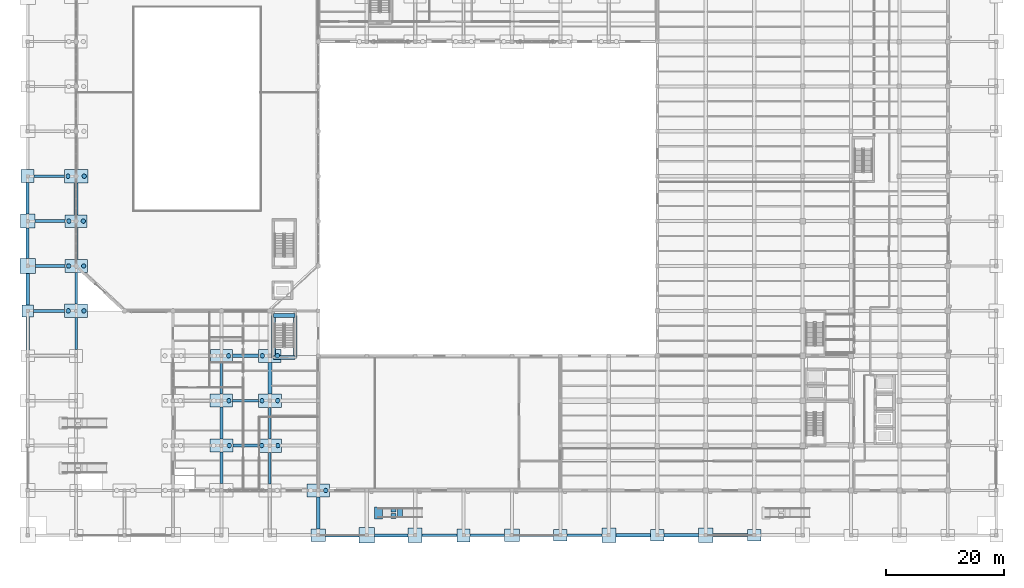
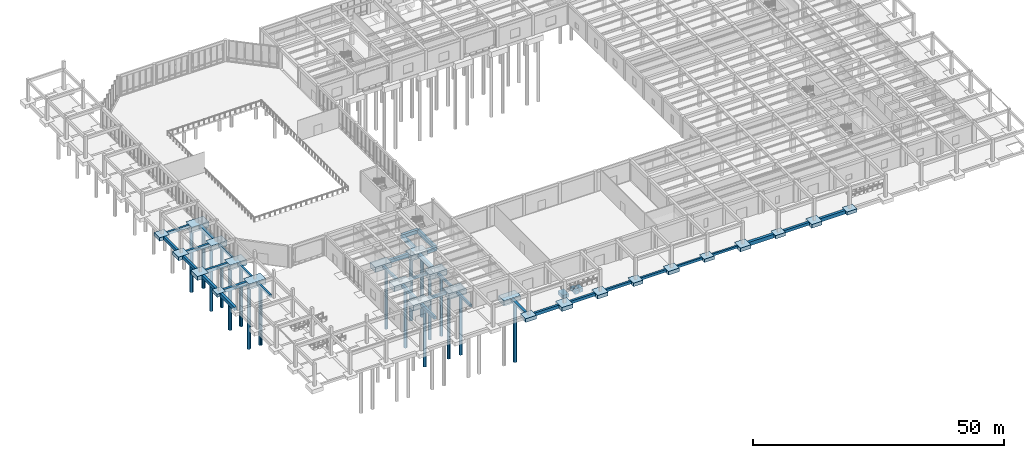
# One storey, part 2 of 64: 64 footings, 18 piles.
"""IFC4 building model written with IfcOpenShell, lengths in metres."""

from ifc_helpers import new_model, si_unit, direction, frame, origin, origin_2d, place, context, subcontext, project, spatial, rectangle, circle, extrude, material, material_profile, profile_set, type_object, element, save


model = new_model("IFC4")

# Units and contexts
model_context = context("Model", 3, precision=1e-05, world=origin(), true_north=direction((0.0, 1.0)))
body_context = subcontext(model_context, "Body", "Model", "MODEL_VIEW")
ifc_project = project(units=[si_unit("LENGTHUNIT", "METRE"), si_unit("AREAUNIT", "SQUARE_METRE"), si_unit("VOLUMEUNIT", "CUBIC_METRE"), si_unit("PLANEANGLEUNIT", "RADIAN"), si_unit("MASSUNIT", "GRAM", prefix="KILO")], contexts=[model_context])

# Site, building, storey
site_placement = place(None, origin())
site = spatial("IfcSite", under=ifc_project, at=site_placement, CompositionType="ELEMENT")
building_placement = place(site_placement, origin())
building = spatial("IfcBuilding", under=site, at=building_placement, Name="Qandaris Square Conservatory and Botanical Centre", CompositionType="ELEMENT")
storey_placement = place(building_placement, origin())
storey = spatial("IfcBuildingStorey", under=building, at=storey_placement, Name="L00", CompositionType="ELEMENT", Elevation=0.0)

# Piles
ifc_material_1 = material(Name="Concrete C50/60", Category="concrete")
ifc_material_profile_1 = material_profile(ifc_material_1, circle(Radius=0.375, at=origin_2d()), Name="PILE D750")
ifc_profile_set_1 = profile_set([ifc_material_profile_1], Name="Concrete C50/60")
pile_type = type_object("IfcPileType", Name="Bored Pile D750", PredefinedType="BORED", material=ifc_profile_set_1)
for number, where, z_axis, x_axis, name in (
    (1, (14.875, 47.0, -1.25), (0.0, 0.0, -1.0), (1.0, 0.0, 0.0), "Bored Pile F2-1"),
    (2, (17.52490234375, 47.0, -1.25), (0.0, 0.0, -1.0), (1.0, 0.0, 0.0), "Bored Pile F2-2"),
):
    element("IfcPile", number, at=place(storey_placement, frame(where, z_axis=z_axis, x_axis=x_axis)), inside=storey, type_object=pile_type, Name=name, PredefinedType="BORED", context=body_context, shape_type="SweptSolid", body=[
        extrude(circle(Radius=0.375, at=origin_2d()), origin(), (0.0, 0.0, 1.0), 15.25),
    ])
for number, where, z_axis, x_axis, name in (
    (3, (14.925048828125, 54.60009765625, -1.199951171875), (0.0, 0.0, -1.0), (1.0, 0.0, 0.0), "Bored Pile G2-1"),
    (4, (17.47509765625, 54.60009765625, -1.199951171875), (0.0, 0.0, -1.0), (1.0, 0.0, 0.0), "Bored Pile G2-2"),
):
    element("IfcPile", number, at=place(storey_placement, frame(where, z_axis=z_axis, x_axis=x_axis)), inside=storey, type_object=pile_type, Name=name, PredefinedType="BORED", context=body_context, shape_type="SweptSolid", body=[
        extrude(circle(Radius=0.375, at=origin_2d()), origin(), (0.0, 0.0, 1.0), 15.300048828125),
    ])
for number, where, z_axis, x_axis, name in (
    (5, (14.97509765625, 62.199951171875, -1.14990234375), (0.0, 0.0, -1.0), (1.0, 0.0, 0.0), "Bored Pile H2-1"),
    (6, (17.425048828125, 62.199951171875, -1.14990234375), (0.0, 0.0, -1.0), (1.0, 0.0, 0.0), "Bored Pile H2-2"),
):
    element("IfcPile", number, at=place(storey_placement, frame(where, z_axis=z_axis, x_axis=x_axis)), inside=storey, type_object=pile_type, Name=name, PredefinedType="BORED", context=body_context, shape_type="SweptSolid", body=[
        extrude(circle(Radius=0.375, at=origin_2d()), origin(), (0.0, 0.0, 1.0), 15.35009765625),
    ])
for number, where, z_axis, x_axis, name in (
    (7, (14.824951171875, 69.800048828125, -1.300048828125), (0.0, 0.0, -1.0), (1.0, 0.0, 0.0), "Bored Pile J2-1"),
    (8, (17.574951171875, 69.800048828125, -1.300048828125), (0.0, 0.0, -1.0), (1.0, 0.0, 0.0), "Bored Pile J2-2"),
):
    element("IfcPile", number, at=place(storey_placement, frame(where, z_axis=z_axis, x_axis=x_axis)), inside=storey, type_object=pile_type, Name=name, PredefinedType="BORED", context=body_context, shape_type="SweptSolid", body=[
        extrude(circle(Radius=0.375, at=origin_2d()), origin(), (0.0, 0.0, 1.0), 15.199951171875),
    ])
pile_1_placement = place(storey_placement, frame((42.125, 24.199951171875, -1.25), z_axis=(0.0, 0.0, -1.0), x_axis=(1.0, 0.0, 0.0)))
element("IfcPile", 9, at=pile_1_placement, inside=storey, type_object=pile_type, Name="Bored Pile C5-2", PredefinedType="BORED", context=body_context, shape_type="SweptSolid", body=[
    extrude(circle(Radius=0.375, at=origin_2d()), origin(), (0.0, 0.0, 1.0), 15.25),
])
pile_2_placement = place(storey_placement, frame((42.074951171875, 31.800048828125, -1.199951171875), z_axis=(0.0, 0.0, -1.0), x_axis=(1.0, 0.0, 0.0)))
element("IfcPile", 10, at=pile_2_placement, inside=storey, type_object=pile_type, Name="Bored Pile D5-2", PredefinedType="BORED", context=body_context, shape_type="SweptSolid", body=[
    extrude(circle(Radius=0.375, at=origin_2d()), origin(), (0.0, 0.0, 1.0), 15.300048828125),
])
pile_3_placement = place(storey_placement, frame((42.02490234375, 39.39990234375, -1.14990234375), z_axis=(0.0, 0.0, -1.0), x_axis=(1.0, 0.0, 0.0)))
element("IfcPile", 11, at=pile_3_placement, inside=storey, type_object=pile_type, Name="Bored Pile E5-2", PredefinedType="BORED", context=body_context, shape_type="SweptSolid", body=[
    extrude(circle(Radius=0.375, at=origin_2d()), origin(), (0.0, 0.0, 1.0), 15.35009765625),
])
for number, where, z_axis, x_axis, name in (
    (12, (47.625, 24.199951171875, -1.300048828125), (0.0, 0.0, -1.0), (1.0, 0.0, 0.0), "Bored Pile C6-1"),
    (13, (50.375, 24.199951171875, -1.300048828125), (0.0, 0.0, -1.0), (1.0, 0.0, 0.0), "Bored Pile C6-2"),
):
    element("IfcPile", number, at=place(storey_placement, frame(where, z_axis=z_axis, x_axis=x_axis)), inside=storey, type_object=pile_type, Name=name, PredefinedType="BORED", context=body_context, shape_type="SweptSolid", body=[
        extrude(circle(Radius=0.375, at=origin_2d()), origin(), (0.0, 0.0, 1.0), 15.199951171875),
    ])
for number, where, z_axis, x_axis, name in (
    (14, (47.675048828125, 31.800048828125, -1.25), (0.0, 0.0, -1.0), (1.0, 0.0, 0.0), "Bored Pile D6-1"),
    (15, (50.324951171875, 31.800048828125, -1.25), (0.0, 0.0, -1.0), (1.0, 0.0, 0.0), "Bored Pile D6-2"),
):
    element("IfcPile", number, at=place(storey_placement, frame(where, z_axis=z_axis, x_axis=x_axis)), inside=storey, type_object=pile_type, Name=name, PredefinedType="BORED", context=body_context, shape_type="SweptSolid", body=[
        extrude(circle(Radius=0.375, at=origin_2d()), origin(), (0.0, 0.0, 1.0), 15.25),
    ])
for number, where, z_axis, x_axis, name in (
    (16, (47.72509765625, 39.39990234375, -1.199951171875), (0.0, 0.0, -1.0), (1.0, 0.0, 0.0), "Bored Pile E6-1"),
    (17, (50.27490234375, 39.39990234375, -1.199951171875), (0.0, 0.0, -1.0), (1.0, 0.0, 0.0), "Bored Pile E6-2"),
    (18, (58.47509765625, 16.60009765625, -1.199951171875), (0.0, 0.0, -1.0), (1.0, 0.0, 0.0), "Bored Pile B7-2"),
):
    element("IfcPile", number, at=place(storey_placement, frame(where, z_axis=z_axis, x_axis=x_axis)), inside=storey, type_object=pile_type, Name=name, PredefinedType="BORED", context=body_context, shape_type="SweptSolid", body=[
        extrude(circle(Radius=0.375, at=origin_2d()), origin(), (0.0, 0.0, 1.0), 15.300048828125),
    ])

# Footings
ifc_material_2 = material(Name="Concrete C40/50", Category="concrete")
ifc_material_profile_2 = material_profile(ifc_material_2, rectangle(XDim=0.60009765625, YDim=0.85009765625, at=origin_2d()), Name="FB 600x850")
ifc_profile_set_2 = profile_set([ifc_material_profile_2], Name="Concrete C40/50")
footing_type_1 = type_object("IfcFootingType", Name="RC Ground Tie Beam FB-01", PredefinedType="FOOTING_BEAM", material=ifc_profile_set_2)
footing_1_placement = place(storey_placement, frame((124.0, 9.0, -0.425048828125), z_axis=(1.0, 0.0, 0.0), x_axis=(0.0, 1.0, 0.0)))
element("IfcFooting", 19, at=footing_1_placement, inside=storey, type_object=footing_type_1, Name="Ground Tie Beam FB-01-201", PredefinedType="FOOTING_BEAM", context=body_context, shape_type="SweptSolid", body=[
    extrude(rectangle(XDim=0.60009765625, YDim=0.85009765625, at=origin_2d()), origin(), (0.0, 0.0, 1.0), 5.85009765625),
])
footing_2_placement = place(storey_placement, frame((42.64990234375, 39.39990234375, -0.425048828125), z_axis=(1.0, 0.0, 0.0), x_axis=(0.0, 1.0, 0.0)))
element("IfcFooting", 20, at=footing_2_placement, inside=storey, type_object=footing_type_1, Name="Ground Tie Beam FB-01-221", PredefinedType="FOOTING_BEAM", context=body_context, shape_type="SweptSolid", body=[
    extrude(rectangle(XDim=0.60009765625, YDim=0.85009765625, at=origin_2d()), origin(), (0.0, 0.0, 1.0), 4.4501953125),
])
footing_3_placement = place(storey_placement, frame((8.0, 40.35009765625, -0.425048828125), z_axis=(0.0, 1.0, 0.0), x_axis=(-1.0, 0.0, 0.0)))
element("IfcFooting", 21, at=footing_3_placement, inside=storey, type_object=footing_type_1, Name="Ground Tie Beam FB-01-281", PredefinedType="FOOTING_BEAM", context=body_context, shape_type="SweptSolid", body=[
    extrude(rectangle(XDim=0.60009765625, YDim=0.85009765625, at=origin_2d()), origin(), (0.0, 0.0, 1.0), 5.64990234375),
])
ifc_material_profile_3 = material_profile(ifc_material_2, rectangle(XDim=0.550048828125, YDim=0.800048828125, at=origin_2d()), Name="FB 550x800")
ifc_profile_set_3 = profile_set([ifc_material_profile_3], Name="Concrete C40/50")
footing_type_2 = type_object("IfcFootingType", Name="RC Ground Tie Beam FB-02", PredefinedType="FOOTING_BEAM", material=ifc_profile_set_3)
footing_4_placement = place(storey_placement, frame((9.0, 47.0, -0.39990234375), z_axis=(1.0, 0.0, 0.0), x_axis=(0.0, 1.0, 0.0)))
element("IfcFooting", 22, at=footing_4_placement, inside=storey, type_object=footing_type_2, Name="Ground Tie Beam FB-02-222", PredefinedType="FOOTING_BEAM", context=body_context, shape_type="SweptSolid", body=[
    extrude(rectangle(XDim=0.550048828125, YDim=0.800048828125, at=origin_2d()), origin(), (0.0, 0.0, 1.0), 5.25),
])
footing_5_placement = place(storey_placement, frame((8.0, 48.0, -0.39990234375), z_axis=(0.0, 1.0, 0.0), x_axis=(-1.0, 0.0, 0.0)))
element("IfcFooting", 23, at=footing_5_placement, inside=storey, type_object=footing_type_2, Name="Ground Tie Beam FB-02-282", PredefinedType="FOOTING_BEAM", context=body_context, shape_type="SweptSolid", body=[
    extrude(rectangle(XDim=0.550048828125, YDim=0.800048828125, at=origin_2d()), origin(), (0.0, 0.0, 1.0), 5.300048828125),
])
ifc_material_profile_4 = material_profile(ifc_material_2, rectangle(XDim=0.5, YDim=0.75, at=origin_2d()), Name="FB 500x750")
ifc_profile_set_4 = profile_set([ifc_material_profile_4], Name="Concrete C40/50")
footing_type_3 = type_object("IfcFootingType", Name="RC Ground Tie Beam FB-03", PredefinedType="FOOTING_BEAM", material=ifc_profile_set_4)
footing_6_placement = place(storey_placement, frame((58.449951171875, 9.0, -0.375), z_axis=(1.0, 0.0, 0.0), x_axis=(0.0, 1.0, 0.0)))
element("IfcFooting", 24, at=footing_6_placement, inside=storey, type_object=footing_type_3, Name="Ground Tie Beam FB-03-193", PredefinedType="FOOTING_BEAM", context=body_context, shape_type="SweptSolid", body=[
    extrude(rectangle(XDim=0.5, YDim=0.75, at=origin_2d()), origin(), (0.0, 0.0, 1.0), 5.650146484375),
])
footing_7_placement = place(storey_placement, frame((9.300048828125, 54.60009765625, -0.375), z_axis=(1.0, 0.0, 0.0), x_axis=(0.0, 1.0, 0.0)))
element("IfcFooting", 25, at=footing_7_placement, inside=storey, type_object=footing_type_3, Name="Ground Tie Beam FB-03-223", PredefinedType="FOOTING_BEAM", context=body_context, shape_type="SweptSolid", body=[
    extrude(rectangle(XDim=0.5, YDim=0.75, at=origin_2d()), origin(), (0.0, 0.0, 1.0), 5.0),
])
footing_8_placement = place(storey_placement, frame((8.0, 55.89990234375, -0.375), z_axis=(0.0, 1.0, 0.0), x_axis=(-1.0, 0.0, 0.0)))
element("IfcFooting", 26, at=footing_8_placement, inside=storey, type_object=footing_type_3, Name="Ground Tie Beam FB-03-283", PredefinedType="FOOTING_BEAM", context=body_context, shape_type="SweptSolid", body=[
    extrude(rectangle(XDim=0.5, YDim=0.75, at=origin_2d()), origin(), (0.0, 0.0, 1.0), 5.10009765625),
])
footing_9_placement = place(storey_placement, frame((40.800048828125, 17.75, -0.375), z_axis=(0.0, 1.0, 0.0), x_axis=(-1.0, 0.0, 0.0)))
element("IfcFooting", 27, at=footing_9_placement, inside=storey, type_object=footing_type_3, Name="Ground Tie Beam FB-03-313", PredefinedType="FOOTING_BEAM", context=body_context, shape_type="SweptSolid", body=[
    extrude(rectangle(XDim=0.5, YDim=0.75, at=origin_2d()), origin(), (0.0, 0.0, 1.0), 5.324951171875),
])
ifc_material_profile_5 = material_profile(ifc_material_2, rectangle(XDim=0.5, YDim=0.699951171875, at=origin_2d()), Name="FB 500x700")
ifc_profile_set_5 = profile_set([ifc_material_profile_5], Name="Concrete C40/50")
footing_type_4 = type_object("IfcFootingType", Name="RC Ground Tie Beam FB-04", PredefinedType="FOOTING_BEAM", material=ifc_profile_set_5)
footing_10_placement = place(storey_placement, frame((66.699951171875, 9.0, -0.35009765625), z_axis=(1.0, 0.0, 0.0), x_axis=(0.0, 1.0, 0.0)))
element("IfcFooting", 28, at=footing_10_placement, inside=storey, type_object=footing_type_4, Name="Ground Tie Beam FB-04-194", PredefinedType="FOOTING_BEAM", context=body_context, shape_type="SweptSolid", body=[
    extrude(rectangle(XDim=0.5, YDim=0.699951171875, at=origin_2d()), origin(), (0.0, 0.0, 1.0), 5.699951171875),
])
footing_11_placement = place(storey_placement, frame((9.199951171875, 62.199951171875, -0.35009765625), z_axis=(1.0, 0.0, 0.0), x_axis=(0.0, 1.0, 0.0)))
element("IfcFooting", 29, at=footing_11_placement, inside=storey, type_object=footing_type_4, Name="Ground Tie Beam FB-04-224", PredefinedType="FOOTING_BEAM", context=body_context, shape_type="SweptSolid", body=[
    extrude(rectangle(XDim=0.5, YDim=0.699951171875, at=origin_2d()), origin(), (0.0, 0.0, 1.0), 5.150146484375),
])
footing_12_placement = place(storey_placement, frame((8.0, 63.39990234375, -0.35009765625), z_axis=(0.0, 1.0, 0.0), x_axis=(-1.0, 0.0, 0.0)))
element("IfcFooting", 30, at=footing_12_placement, inside=storey, type_object=footing_type_4, Name="Ground Tie Beam FB-04-284", PredefinedType="FOOTING_BEAM", context=body_context, shape_type="SweptSolid", body=[
    extrude(rectangle(XDim=0.5, YDim=0.699951171875, at=origin_2d()), origin(), (0.0, 0.0, 1.0), 5.300048828125),
])
footing_13_placement = place(storey_placement, frame((40.800048828125, 25.324951171875, -0.35009765625), z_axis=(0.0, 1.0, 0.0), x_axis=(-1.0, 0.0, 0.0)))
element("IfcFooting", 31, at=footing_13_placement, inside=storey, type_object=footing_type_4, Name="Ground Tie Beam FB-04-314", PredefinedType="FOOTING_BEAM", context=body_context, shape_type="SweptSolid", body=[
    extrude(rectangle(XDim=0.5, YDim=0.699951171875, at=origin_2d()), origin(), (0.0, 0.0, 1.0), 5.375),
])
ifc_material_profile_6 = material_profile(ifc_material_2, rectangle(XDim=0.449951171875, YDim=0.64990234375, at=origin_2d()), Name="FB 450x650")
ifc_profile_set_6 = profile_set([ifc_material_profile_6], Name="Concrete C40/50")
footing_type_5 = type_object("IfcFootingType", Name="RC Ground Tie Beam FB-05", PredefinedType="FOOTING_BEAM", material=ifc_profile_set_6)
footing_14_placement = place(storey_placement, frame((74.800048828125, 9.0, -0.324951171875), z_axis=(1.0, 0.0, 0.0), x_axis=(0.0, 1.0, 0.0)))
element("IfcFooting", 32, at=footing_14_placement, inside=storey, type_object=footing_type_5, Name="Ground Tie Beam FB-05-195", PredefinedType="FOOTING_BEAM", context=body_context, shape_type="SweptSolid", body=[
    extrude(rectangle(XDim=0.449951171875, YDim=0.64990234375, at=origin_2d()), origin(), (0.0, 0.0, 1.0), 5.89990234375),
])
footing_15_placement = place(storey_placement, frame((42.75, 24.199951171875, -0.324951171875), z_axis=(1.0, 0.0, 0.0), x_axis=(0.0, 1.0, 0.0)))
element("IfcFooting", 33, at=footing_15_placement, inside=storey, type_object=footing_type_5, Name="Ground Tie Beam FB-05-215", PredefinedType="FOOTING_BEAM", context=body_context, shape_type="SweptSolid", body=[
    extrude(rectangle(XDim=0.449951171875, YDim=0.64990234375, at=origin_2d()), origin(), (0.0, 0.0, 1.0), 4.25),
])
footing_16_placement = place(storey_placement, frame((9.10009765625, 69.800048828125, -0.324951171875), z_axis=(1.0, 0.0, 0.0), x_axis=(0.0, 1.0, 0.0)))
element("IfcFooting", 34, at=footing_16_placement, inside=storey, type_object=footing_type_5, Name="Ground Tie Beam FB-05-225", PredefinedType="FOOTING_BEAM", context=body_context, shape_type="SweptSolid", body=[
    extrude(rectangle(XDim=0.449951171875, YDim=0.64990234375, at=origin_2d()), origin(), (0.0, 0.0, 1.0), 5.099853515625),
])
footing_17_placement = place(storey_placement, frame((40.800048828125, 32.89990234375, -0.324951171875), z_axis=(0.0, 1.0, 0.0), x_axis=(-1.0, 0.0, 0.0)))
element("IfcFooting", 35, at=footing_17_placement, inside=storey, type_object=footing_type_5, Name="Ground Tie Beam FB-05-315", PredefinedType="FOOTING_BEAM", context=body_context, shape_type="SweptSolid", body=[
    extrude(rectangle(XDim=0.449951171875, YDim=0.64990234375, at=origin_2d()), origin(), (0.0, 0.0, 1.0), 5.425048828125),
])
ifc_material_profile_7 = material_profile(ifc_material_2, rectangle(XDim=0.449951171875, YDim=0.60009765625, at=origin_2d()), Name="FB 450x600")
ifc_profile_set_7 = profile_set([ifc_material_profile_7], Name="Concrete C40/50")
footing_type_6 = type_object("IfcFootingType", Name="RC Ground Tie Beam FB-06", PredefinedType="FOOTING_BEAM", material=ifc_profile_set_7)
footing_18_placement = place(storey_placement, frame((82.89990234375, 9.0, -0.300048828125), z_axis=(1.0, 0.0, 0.0), x_axis=(0.0, 1.0, 0.0)))
element("IfcFooting", 36, at=footing_18_placement, inside=storey, type_object=footing_type_6, Name="Ground Tie Beam FB-06-196", PredefinedType="FOOTING_BEAM", context=body_context, shape_type="SweptSolid", body=[
    extrude(rectangle(XDim=0.449951171875, YDim=0.60009765625, at=origin_2d()), origin(), (0.0, 0.0, 1.0), 5.85009765625),
])
footing_19_placement = place(storey_placement, frame((16.199951171875, 40.5, -0.300048828125), z_axis=(0.0, 1.0, 0.0), x_axis=(-1.0, 0.0, 0.0)))
element("IfcFooting", 37, at=footing_19_placement, inside=storey, type_object=footing_type_6, Name="Ground Tie Beam FB-06-296", PredefinedType="FOOTING_BEAM", context=body_context, shape_type="SweptSolid", body=[
    extrude(rectangle(XDim=0.449951171875, YDim=0.60009765625, at=origin_2d()), origin(), (0.0, 0.0, 1.0), 5.375),
])
ifc_material_profile_8 = material_profile(ifc_material_2, rectangle(XDim=0.39990234375, YDim=0.60009765625, at=origin_2d()), Name="FB 400x600")
ifc_profile_set_8 = profile_set([ifc_material_profile_8], Name="Concrete C40/50")
footing_type_7 = type_object("IfcFootingType", Name="RC Ground Tie Beam FB-07", PredefinedType="FOOTING_BEAM", material=ifc_profile_set_8)
footing_20_placement = place(storey_placement, frame((91.25, 9.0, -0.300048828125), z_axis=(1.0, 0.0, 0.0), x_axis=(0.0, 1.0, 0.0)))
element("IfcFooting", 38, at=footing_20_placement, inside=storey, type_object=footing_type_7, Name="Ground Tie Beam FB-07-197", PredefinedType="FOOTING_BEAM", context=body_context, shape_type="SweptSolid", body=[
    extrude(rectangle(XDim=0.39990234375, YDim=0.60009765625, at=origin_2d()), origin(), (0.0, 0.0, 1.0), 5.800048828125),
])
for number, where, z_axis, x_axis, name in (
    (39, (16.199951171875, 48.125, -0.300048828125), (0.0, 1.0, 0.0), (-1.0, 0.0, 0.0), "Ground Tie Beam FB-07-297"),
    (40, (49.0, 17.675048828125, -0.300048828125), (0.0, 1.0, 0.0), (-1.0, 0.0, 0.0), "Ground Tie Beam FB-07-317"),
):
    element("IfcFooting", number, at=place(storey_placement, frame(where, z_axis=z_axis, x_axis=x_axis)), inside=storey, type_object=footing_type_7, Name=name, PredefinedType="FOOTING_BEAM", context=body_context, shape_type="SweptSolid", body=[
        extrude(rectangle(XDim=0.39990234375, YDim=0.60009765625, at=origin_2d()), origin(), (0.0, 0.0, 1.0), 5.375),
    ])
ifc_material_profile_9 = material_profile(ifc_material_2, rectangle(XDim=0.39990234375, YDim=0.550048828125, at=origin_2d()), Name="FB 400x550")
ifc_profile_set_9 = profile_set([ifc_material_profile_9], Name="Concrete C40/50")
footing_type_8 = type_object("IfcFootingType", Name="RC Ground Tie Beam FB-08", PredefinedType="FOOTING_BEAM", material=ifc_profile_set_9)
footing_21_placement = place(storey_placement, frame((99.35009765625, 9.0, -0.27490234375), z_axis=(1.0, 0.0, 0.0), x_axis=(0.0, 1.0, 0.0)))
element("IfcFooting", 41, at=footing_21_placement, inside=storey, type_object=footing_type_8, Name="Ground Tie Beam FB-08-198", PredefinedType="FOOTING_BEAM", context=body_context, shape_type="SweptSolid", body=[
    extrude(rectangle(XDim=0.39990234375, YDim=0.550048828125, at=origin_2d()), origin(), (0.0, 0.0, 1.0), 5.849853515625),
])
footing_22_placement = place(storey_placement, frame((42.699951171875, 31.800048828125, -0.27490234375), z_axis=(1.0, 0.0, 0.0), x_axis=(0.0, 1.0, 0.0)))
element("IfcFooting", 42, at=footing_22_placement, inside=storey, type_object=footing_type_8, Name="Ground Tie Beam FB-08-218", PredefinedType="FOOTING_BEAM", context=body_context, shape_type="SweptSolid", body=[
    extrude(rectangle(XDim=0.39990234375, YDim=0.550048828125, at=origin_2d()), origin(), (0.0, 0.0, 1.0), 4.35009765625),
])
footing_23_placement = place(storey_placement, frame((16.199951171875, 55.699951171875, -0.27490234375), z_axis=(0.0, 1.0, 0.0), x_axis=(-1.0, 0.0, 0.0)))
element("IfcFooting", 43, at=footing_23_placement, inside=storey, type_object=footing_type_8, Name="Ground Tie Beam FB-08-298", PredefinedType="FOOTING_BEAM", context=body_context, shape_type="SweptSolid", body=[
    extrude(rectangle(XDim=0.39990234375, YDim=0.550048828125, at=origin_2d()), origin(), (0.0, 0.0, 1.0), 5.425048828125),
])
footing_24_placement = place(storey_placement, frame((49.0, 25.35009765625, -0.27490234375), z_axis=(0.0, 1.0, 0.0), x_axis=(-1.0, 0.0, 0.0)))
element("IfcFooting", 44, at=footing_24_placement, inside=storey, type_object=footing_type_8, Name="Ground Tie Beam FB-08-318", PredefinedType="FOOTING_BEAM", context=body_context, shape_type="SweptSolid", body=[
    extrude(rectangle(XDim=0.39990234375, YDim=0.550048828125, at=origin_2d()), origin(), (0.0, 0.0, 1.0), 5.324951171875),
])
ifc_material_profile_10 = material_profile(ifc_material_2, rectangle(XDim=0.64990234375, YDim=0.89990234375, at=origin_2d()), Name="FB 650x900")
ifc_profile_set_10 = profile_set([ifc_material_profile_10], Name="Concrete C40/50")
footing_type_9 = type_object("IfcFootingType", Name="RC Ground Tie Beam FB-09", PredefinedType="FOOTING_BEAM", material=ifc_profile_set_10)
footing_25_placement = place(storey_placement, frame((49.60009765625, 39.10009765625, -0.7900390625), z_axis=(1.0, 0.0, 0.0), x_axis=(0.0, 1.0, 0.0)))
element("IfcFooting", 45, at=footing_25_placement, inside=storey, type_object=footing_type_9, Name="Stair ST4 Core Footing Beam S", PredefinedType="FOOTING_BEAM", context=body_context, shape_type="SweptSolid", body=[
    extrude(rectangle(XDim=0.64990234375, YDim=0.89990234375, at=origin_2d()), origin(), (0.0, 0.0, 1.0), 3.699951171875),
])
for number, where, z_axis, x_axis, name in (
    (46, (49.60009765625, 39.10009765625, -0.7900390625), (0.0, 1.0, 0.0), (-1.0, 0.0, 0.0), "Stair ST4 Core Footing Beam W"),
    (47, (53.300048828125, 39.10009765625, -0.7900390625), (0.0, 1.0, 0.0), (-1.0, 0.0, 0.0), "Stair ST4 Core Footing Beam E"),
):
    element("IfcFooting", number, at=place(storey_placement, frame(where, z_axis=z_axis, x_axis=x_axis)), inside=storey, type_object=footing_type_9, Name=name, PredefinedType="FOOTING_BEAM", context=body_context, shape_type="SweptSolid", body=[
        extrude(rectangle(XDim=0.64990234375, YDim=0.89990234375, at=origin_2d()), origin(), (0.0, 0.0, 1.0), 7.099853515625),
    ])
footing_26_placement = place(storey_placement, frame((49.60009765625, 46.199951171875, -0.7900390625), z_axis=(1.0, 0.0, 0.0), x_axis=(0.0, 1.0, 0.0)))
element("IfcFooting", 48, at=footing_26_placement, inside=storey, type_object=footing_type_9, Name="Stair ST4 Core Footing Beam N", PredefinedType="FOOTING_BEAM", context=body_context, shape_type="SweptSolid", body=[
    extrude(rectangle(XDim=0.64990234375, YDim=0.89990234375, at=origin_2d()), origin(), (0.0, 0.0, 1.0), 3.699951171875),
])
footing_27_placement = place(storey_placement, frame((107.60009765625, 9.0, -0.449951171875), z_axis=(1.0, 0.0, 0.0), x_axis=(0.0, 1.0, 0.0)))
element("IfcFooting", 49, at=footing_27_placement, inside=storey, type_object=footing_type_9, Name="Ground Tie Beam FB-09-199", PredefinedType="FOOTING_BEAM", context=body_context, shape_type="SweptSolid", body=[
    extrude(rectangle(XDim=0.64990234375, YDim=0.89990234375, at=origin_2d()), origin(), (0.0, 0.0, 1.0), 5.849853515625),
])
for number, where, z_axis, x_axis, name in (
    (50, (16.199951171875, 63.27490234375, -0.449951171875), (0.0, 1.0, 0.0), (-1.0, 0.0, 0.0), "Ground Tie Beam FB-09-299"),
    (51, (49.0, 32.925048828125, -0.449951171875), (0.0, 1.0, 0.0), (-1.0, 0.0, 0.0), "Ground Tie Beam FB-09-319"),
):
    element("IfcFooting", number, at=place(storey_placement, frame(where, z_axis=z_axis, x_axis=x_axis)), inside=storey, type_object=footing_type_9, Name=name, PredefinedType="FOOTING_BEAM", context=body_context, shape_type="SweptSolid", body=[
        extrude(rectangle(XDim=0.64990234375, YDim=0.89990234375, at=origin_2d()), origin(), (0.0, 0.0, 1.0), 5.375),
    ])
ifc_material_profile_11 = material_profile(ifc_material_2, rectangle(XDim=0.550048828125, YDim=0.699951171875, at=origin_2d()), Name="FB 550x700")
ifc_profile_set_11 = profile_set([ifc_material_profile_11], Name="Concrete C40/50")
footing_type_10 = type_object("IfcFootingType", Name="RC Ground Tie Beam FB-10", PredefinedType="FOOTING_BEAM", material=ifc_profile_set_11)
footing_28_placement = place(storey_placement, frame((115.75, 9.0, -0.35009765625), z_axis=(1.0, 0.0, 0.0), x_axis=(0.0, 1.0, 0.0)))
element("IfcFooting", 52, at=footing_28_placement, inside=storey, type_object=footing_type_10, Name="Ground Tie Beam FB-10-200", PredefinedType="FOOTING_BEAM", context=body_context, shape_type="SweptSolid", body=[
    extrude(rectangle(XDim=0.550048828125, YDim=0.699951171875, at=origin_2d()), origin(), (0.0, 0.0, 1.0), 5.85009765625),
])
footing_29_placement = place(storey_placement, frame((57.199951171875, 10.050048828125, -0.35009765625), z_axis=(0.0, 1.0, 0.0), x_axis=(-1.0, 0.0, 0.0)))
element("IfcFooting", 53, at=footing_29_placement, inside=storey, type_object=footing_type_10, Name="Ground Tie Beam FB-10-320", PredefinedType="FOOTING_BEAM", context=body_context, shape_type="SweptSolid", body=[
    extrude(rectangle(XDim=0.550048828125, YDim=0.699951171875, at=origin_2d()), origin(), (0.0, 0.0, 1.0), 5.449951171875),
])
footing_type_11 = type_object("IfcFootingType", Name="RC Pad Footing PF-01", PredefinedType="PAD_FOOTING", material=ifc_material_2)
for number, where, z_axis, x_axis, name in (
    (54, (8.0, 54.60009765625, -0.9501953125), (0.0, 0.0, 1.0), (1.0, 0.0, 0.0), "Pad Footing PF-01 at G1"),
    (55, (65.39990234375, 9.0, -0.9501953125), (0.0, 0.0, 1.0), (1.0, 0.0, 0.0), "Pad Footing PF-01 at A8"),
):
    element("IfcFooting", number, at=place(storey_placement, frame(where, z_axis=z_axis, x_axis=x_axis)), inside=storey, type_object=footing_type_11, Name=name, PredefinedType="PAD_FOOTING", context=body_context, shape_type="SweptSolid", body=[
        extrude(rectangle(XDim=2.60009765625, YDim=2.60009765625, at=origin_2d()), origin(), (0.0, 0.0, 1.0), 0.949951171875),
    ])
footing_type_12 = type_object("IfcFootingType", Name="RC Pad Footing PF-02", PredefinedType="PAD_FOOTING", material=ifc_material_2)
for number, where, z_axis, x_axis, name in (
    (56, (8.0, 62.199951171875, -0.89990234375), (0.0, 0.0, 1.0), (1.0, 0.0, 0.0), "Pad Footing PF-02 at H1"),
    (57, (73.60009765625, 9.0, -0.89990234375), (0.0, 0.0, 1.0), (1.0, 0.0, 0.0), "Pad Footing PF-02 at A9"),
    (58, (106.39990234375, 9.0, -0.89990234375), (0.0, 0.0, 1.0), (1.0, 0.0, 0.0), "Pad Footing PF-02 at A13"),
    (59, (122.800048828125, 9.0, -0.89990234375), (0.0, 0.0, 1.0), (1.0, 0.0, 0.0), "Pad Footing PF-02 at A15"),
):
    element("IfcFooting", number, at=place(storey_placement, frame(where, z_axis=z_axis, x_axis=x_axis)), inside=storey, type_object=footing_type_12, Name=name, PredefinedType="PAD_FOOTING", context=body_context, shape_type="SweptSolid", body=[
        extrude(rectangle(XDim=2.39990234375, YDim=2.39990234375, at=origin_2d()), origin(), (0.0, 0.0, 1.0), 0.89990234375),
    ])
footing_type_13 = type_object("IfcFootingType", Name="RC Pad Footing PF-03", PredefinedType="PAD_FOOTING", material=ifc_material_2)
for number, where, z_axis, x_axis, name in (
    (60, (8.0, 69.800048828125, -0.85009765625), (0.0, 0.0, 1.0), (1.0, 0.0, 0.0), "Pad Footing PF-03 at J1"),
    (61, (81.800048828125, 9.0, -0.85009765625), (0.0, 0.0, 1.0), (1.0, 0.0, 0.0), "Pad Footing PF-03 at A10"),
):
    element("IfcFooting", number, at=place(storey_placement, frame(where, z_axis=z_axis, x_axis=x_axis)), inside=storey, type_object=footing_type_13, Name=name, PredefinedType="PAD_FOOTING", context=body_context, shape_type="SweptSolid", body=[
        extrude(rectangle(XDim=2.199951171875, YDim=2.199951171875, at=origin_2d()), origin(), (0.0, 0.0, 1.0), 0.85009765625),
    ])
footing_30_placement = place(storey_placement, frame((67.39990234375, 12.800048828125, -1.300048828125), z_axis=(0.0, 0.0, 1.0), x_axis=(1.0, 0.0, 0.0)))
element("IfcFooting", 62, at=footing_30_placement, inside=storey, type_object=footing_type_13, Name="Ramp Foundation PAD-RMP-03A", PredefinedType="PAD_FOOTING", context=body_context, shape_type="SweptSolid", body=[
    extrude(rectangle(XDim=1.39990234375, YDim=2.0, at=origin_2d()), origin(), (0.0, 0.0, 1.0), 0.85009765625),
])
for number, where, z_axis, x_axis, name in (
    (63, (69.949951171875, 12.25, -1.260009765625), (0.0, 0.0, 1.0), (1.0, 0.0, 0.0), "Ramp Foundation PAD-RMP-03B"),
    (64, (69.949951171875, 13.35009765625, -1.260009765625), (0.0, 0.0, 1.0), (1.0, 0.0, 0.0), "Ramp Foundation PAD-RMP-03C"),
):
    element("IfcFooting", number, at=place(storey_placement, frame(where, z_axis=z_axis, x_axis=x_axis)), inside=storey, type_object=footing_type_13, Name=name, PredefinedType="PAD_FOOTING", context=body_context, shape_type="SweptSolid", body=[
        extrude(rectangle(XDim=0.85009765625, YDim=0.85009765625, at=origin_2d()), origin(), (0.0, 0.0, 1.0), 0.85009765625),
    ])
footing_31_placement = place(storey_placement, frame((71.050048828125, 12.800048828125, -1.260009765625), z_axis=(0.0, 0.0, 1.0), x_axis=(1.0, 0.0, 0.0)))
element("IfcFooting", 65, at=footing_31_placement, inside=storey, type_object=footing_type_13, Name="Ramp Foundation PAD-RMP-03D", PredefinedType="PAD_FOOTING", context=body_context, shape_type="SweptSolid", body=[
    extrude(rectangle(XDim=0.85009765625, YDim=1.60009765625, at=origin_2d()), origin(), (0.0, 0.0, 1.0), 0.85009765625),
])
footing_type_14 = type_object("IfcFootingType", Name="RC Pad Footing PF-04", PredefinedType="PAD_FOOTING", material=ifc_material_2)
for number, where, z_axis, x_axis, name in (
    (66, (57.199951171875, 9.0, -0.89990234375), (0.0, 0.0, 1.0), (1.0, 0.0, 0.0), "Pad Footing PF-04 at A7"),
    (67, (90.0, 9.0, -0.89990234375), (0.0, 0.0, 1.0), (1.0, 0.0, 0.0), "Pad Footing PF-04 at A11"),
):
    element("IfcFooting", number, at=place(storey_placement, frame(where, z_axis=z_axis, x_axis=x_axis)), inside=storey, type_object=footing_type_14, Name=name, PredefinedType="PAD_FOOTING", context=body_context, shape_type="SweptSolid", body=[
        extrude(rectangle(XDim=2.5, YDim=2.10009765625, at=origin_2d()), origin(), (0.0, 0.0, 1.0), 0.89990234375),
    ])
footing_type_15 = type_object("IfcFootingType", Name="RC Pad Footing PF-05", PredefinedType="PAD_FOOTING", material=ifc_material_2)
for number, where, z_axis, x_axis, name in (
    (68, (98.199951171875, 9.0, -0.7998046875), (0.0, 0.0, 1.0), (1.0, 0.0, 0.0), "Pad Footing PF-05 at A12"),
    (69, (114.60009765625, 9.0, -0.7998046875), (0.0, 0.0, 1.0), (1.0, 0.0, 0.0), "Pad Footing PF-05 at A14"),
    (70, (131.0, 9.0, -0.7998046875), (0.0, 0.0, 1.0), (1.0, 0.0, 0.0), "Pad Footing PF-05 at A16"),
):
    element("IfcFooting", number, at=place(storey_placement, frame(where, z_axis=z_axis, x_axis=x_axis)), inside=storey, type_object=footing_type_15, Name=name, PredefinedType="PAD_FOOTING", context=body_context, shape_type="SweptSolid", body=[
        extrude(rectangle(XDim=2.300048828125, YDim=1.89990234375, at=origin_2d()), origin(), (0.0, 0.0, 1.0), 0.800048828125),
    ])
footing_type_16 = type_object("IfcFootingType", Name="RC Pad Footing PF-06", PredefinedType="PAD_FOOTING", material=ifc_material_2)
footing_32_placement = place(storey_placement, frame((8.0, 47.0, -0.75), z_axis=(0.0, 0.0, 1.0), x_axis=(1.0, 0.0, 0.0)))
element("IfcFooting", 71, at=footing_32_placement, inside=storey, type_object=footing_type_16, Name="Pad Footing PF-06 at F1", PredefinedType="PAD_FOOTING", context=body_context, shape_type="SweptSolid", body=[
    extrude(rectangle(XDim=2.0, YDim=2.0, at=origin_2d()), origin(), (0.0, 0.0, 1.0), 0.75),
])
footing_type_17 = type_object("IfcFootingType", Name="RC Pile Cap PC-09", PredefinedType="PILE_CAP", material=ifc_material_2)
for number, where, z_axis, x_axis, name in (
    (72, (16.199951171875, 69.800048828125, -1.39990234375), (0.0, 0.0, 1.0), (1.0, 0.0, 0.0), "Pile Cap PC-09 at J2"),
    (73, (49.0, 24.199951171875, -1.39990234375), (0.0, 0.0, 1.0), (1.0, 0.0, 0.0), "Pile Cap PC-09 at C6"),
):
    element("IfcFooting", number, at=place(storey_placement, frame(where, z_axis=z_axis, x_axis=x_axis)), inside=storey, type_object=footing_type_17, Name=name, PredefinedType="PILE_CAP", context=body_context, shape_type="SweptSolid", body=[
        extrude(rectangle(XDim=4.0, YDim=2.300048828125, at=origin_2d()), origin(), (0.0, 0.0, 1.0), 1.39990234375),
    ])
footing_type_18 = type_object("IfcFootingType", Name="RC Pile Cap PC-10", PredefinedType="PILE_CAP", material=ifc_material_2)
for number, where, z_axis, x_axis, name in (
    (74, (16.199951171875, 47.0, -1.35009765625), (0.0, 0.0, 1.0), (1.0, 0.0, 0.0), "Pile Cap PC-10 at F2"),
    (75, (40.800048828125, 24.199951171875, -1.35009765625), (0.0, 0.0, 1.0), (1.0, 0.0, 0.0), "Pile Cap PC-10 at C5"),
    (76, (49.0, 31.800048828125, -1.35009765625), (0.0, 0.0, 1.0), (1.0, 0.0, 0.0), "Pile Cap PC-10 at D6"),
):
    element("IfcFooting", number, at=place(storey_placement, frame(where, z_axis=z_axis, x_axis=x_axis)), inside=storey, type_object=footing_type_18, Name=name, PredefinedType="PILE_CAP", context=body_context, shape_type="SweptSolid", body=[
        extrude(rectangle(XDim=3.89990234375, YDim=2.25, at=origin_2d()), origin(), (0.0, 0.0, 1.0), 1.35009765625),
    ])
footing_type_19 = type_object("IfcFootingType", Name="RC Pile Cap PC-11", PredefinedType="PILE_CAP", material=ifc_material_2)
for number, where, z_axis, x_axis, name in (
    (77, (16.199951171875, 54.60009765625, -1.2998046875), (0.0, 0.0, 1.0), (1.0, 0.0, 0.0), "Pile Cap PC-11 at G2"),
    (78, (40.800048828125, 31.800048828125, -1.2998046875), (0.0, 0.0, 1.0), (1.0, 0.0, 0.0), "Pile Cap PC-11 at D5"),
    (79, (49.0, 39.39990234375, -1.2998046875), (0.0, 0.0, 1.0), (1.0, 0.0, 0.0), "Pile Cap PC-11 at E6"),
    (80, (57.199951171875, 16.60009765625, -1.2998046875), (0.0, 0.0, 1.0), (1.0, 0.0, 0.0), "Pile Cap PC-11 at B7"),
):
    element("IfcFooting", number, at=place(storey_placement, frame(where, z_axis=z_axis, x_axis=x_axis)), inside=storey, type_object=footing_type_19, Name=name, PredefinedType="PILE_CAP", context=body_context, shape_type="SweptSolid", body=[
        extrude(rectangle(XDim=3.800048828125, YDim=2.199951171875, at=origin_2d()), origin(), (0.0, 0.0, 1.0), 1.300048828125),
    ])
footing_type_20 = type_object("IfcFootingType", Name="RC Pile Cap PC-12", PredefinedType="PILE_CAP", material=ifc_material_2)
for number, where, z_axis, x_axis, name in (
    (81, (16.199951171875, 62.199951171875, -1.25), (0.0, 0.0, 1.0), (1.0, 0.0, 0.0), "Pile Cap PC-12 at H2"),
    (82, (40.800048828125, 39.39990234375, -1.25), (0.0, 0.0, 1.0), (1.0, 0.0, 0.0), "Pile Cap PC-12 at E5"),
):
    element("IfcFooting", number, at=place(storey_placement, frame(where, z_axis=z_axis, x_axis=x_axis)), inside=storey, type_object=footing_type_20, Name=name, PredefinedType="PILE_CAP", context=body_context, shape_type="SweptSolid", body=[
        extrude(rectangle(XDim=3.699951171875, YDim=2.14990234375, at=origin_2d()), origin(), (0.0, 0.0, 1.0), 1.25),
    ])

save(model, "model.ifc")
